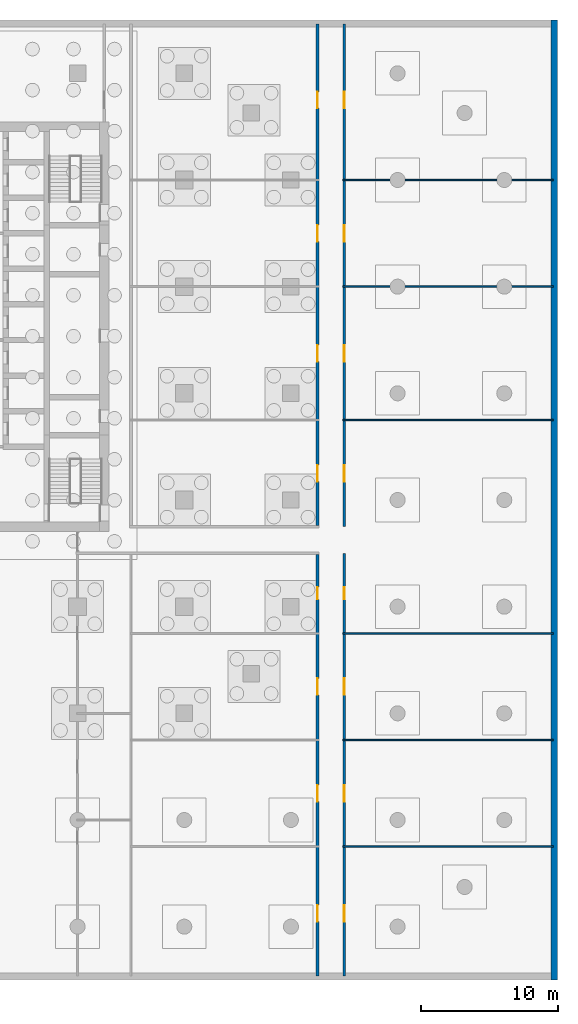
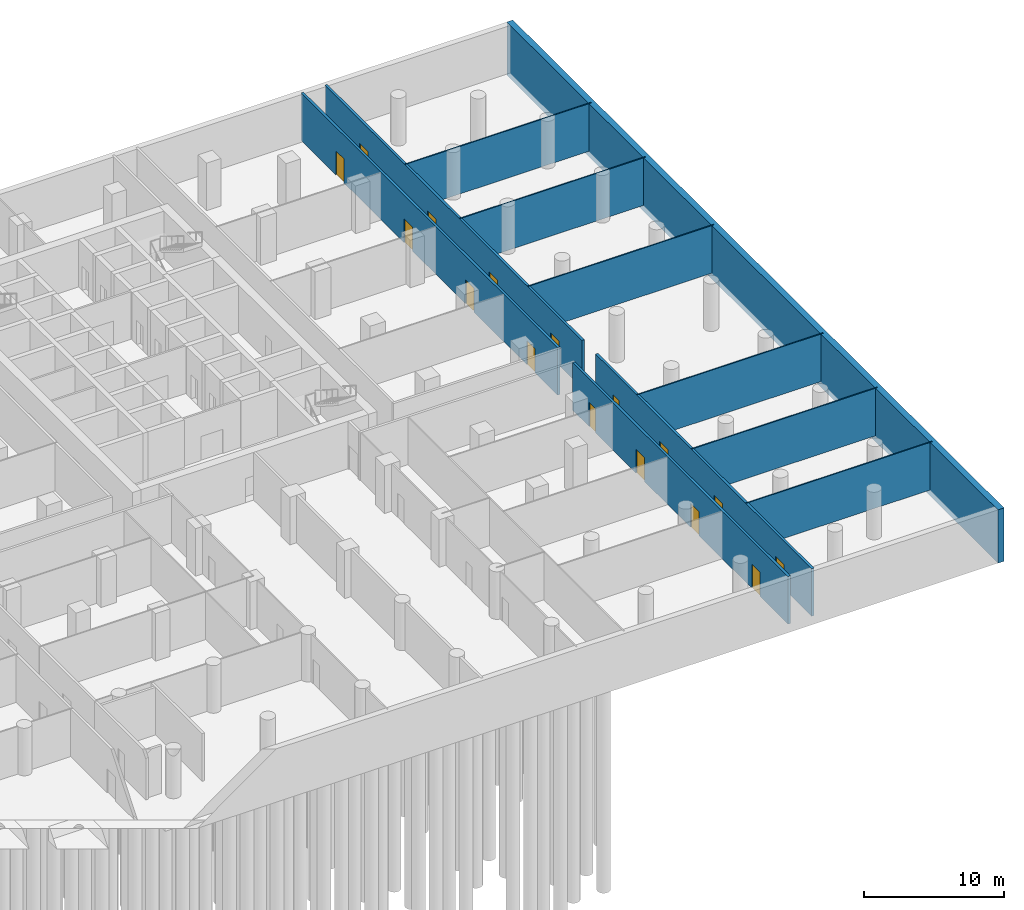
# One storey, part 9 of 16: 16 doors, 11 walls, 16 openings.
"""IFC4 building model written with IfcOpenShell, lengths in metres."""

from ifc_helpers import new_model, si_unit, direction, frame, frame_2d, origin, place, context, subcontext, project, spatial, rectangle, extrude, material, layer, layer_set, type_object, element, fill, save


model = new_model("IFC4")

# Units and contexts
model_context = context("Model", 3, precision=1e-05, world=origin(), true_north=direction((0.0, 1.0)))
body_context = subcontext(model_context, "Body", "Model", "MODEL_VIEW")
ifc_project = project(units=[si_unit("LENGTHUNIT", "METRE"), si_unit("AREAUNIT", "SQUARE_METRE"), si_unit("VOLUMEUNIT", "CUBIC_METRE"), si_unit("PLANEANGLEUNIT", "RADIAN"), si_unit("MASSUNIT", "GRAM", prefix="KILO")], contexts=[model_context])

# Site, building, storey
site_placement = place(None, origin())
site = spatial("IfcSite", under=ifc_project, at=site_placement, CompositionType="ELEMENT")
building_placement = place(site_placement, origin())
building = spatial("IfcBuilding", under=site, at=building_placement, Name="Ludao Terraces", CompositionType="ELEMENT")
storey_placement = place(building_placement, frame((0.0, 0.0, -9.0)))
storey = spatial("IfcBuildingStorey", under=building, at=storey_placement, Name="B2", CompositionType="ELEMENT", Elevation=-9.0)

# Wall
ifc_material_1 = material(Name="Concrete C40", Category="concrete")
ifc_layer_1 = layer(ifc_material_1, 0.5)
ifc_layer_set_1 = layer_set([ifc_layer_1], Name="Basement wall 500 C40")
wall_type_1 = type_object("IfcWallType", Name="Basement wall 500 C40", PredefinedType="SOLIDWALL", material=ifc_layer_set_1)
wall_1_placement = place(storey_placement, frame((127.64990234375, 22.10009765625, -0.5), z_axis=(0.0, 0.0, 1.0), x_axis=(0.0, 1.0, 0.0)))
element("IfcWall", 1, at=wall_1_placement, inside=storey, type_object=wall_type_1, Name="Basement wall E B2", PredefinedType="SOLIDWALL", context=body_context, shape_type="SweptSolid", body=[
    extrude(rectangle(XDim=70.199951171875, YDim=0.5, at=frame_2d((35.10009765625, 0.0))), origin(), (0.0, 0.0, 1.0), 4.64990234375),
])

# Wall, openings, doors
ifc_material_2 = material(Name="Autoclaved aerated concrete block B06 A3.5", Category="concrete")
ifc_layer_2 = layer(ifc_material_2, 0.199951171875)
ifc_layer_set_2 = layer_set([ifc_layer_2], Name="INT Entrance wall 200")
wall_type_2 = type_object("IfcWallType", Name="INT Entrance wall 200", PredefinedType="PARTITIONING", material=ifc_layer_set_2)
wall_2_placement = place(storey_placement, frame((110.35009765625, 22.400146484375, 0.0), z_axis=(0.0, 0.0, 1.0), x_axis=(0.0, 1.0, 0.0)))
wall_2 = element("IfcWall", 2, at=wall_2_placement, inside=storey, type_object=wall_type_2, Name="PW-B2-PW054", PredefinedType="PARTITIONING", context=body_context, shape_type="SweptSolid", body=[
    extrude(rectangle(XDim=30.800048828125, YDim=0.199951171875, at=frame_2d((15.39990234375, 0.0))), origin(), (0.0, 0.0, 1.0), 4.14990234375),
])
opening_1_placement = place(wall_2_placement, frame((3.97509765625, 0.0, 0.0)))
opening_1 = element("IfcOpeningElement", 3, at=opening_1_placement, cuts=wall_2, Name="Opening B2-001", PredefinedType="OPENING", context=body_context, shape_type="SweptSolid", body=[
    extrude(rectangle(XDim=1.199951171875, YDim=2.10009765625, at=frame_2d((0.60009765625, 1.050048828125))), frame((0.0, 0.10986328125, 0.0), z_axis=(0.0, -1.0, 0.0), x_axis=(1.0, 0.0, 0.0)), (0.0, 0.0, 1.0), 0.219970703125),
])
opening_2_placement = place(wall_2_placement, frame((12.75, 0.0, 0.0)))
opening_2 = element("IfcOpeningElement", 4, at=opening_2_placement, cuts=wall_2, Name="Opening B2-007", PredefinedType="OPENING", context=body_context, shape_type="SweptSolid", body=[
    extrude(rectangle(XDim=1.199951171875, YDim=2.10009765625, at=frame_2d((0.60009765625, 1.050048828125))), frame((0.0, 0.10986328125, 0.0), z_axis=(0.0, -1.0, 0.0), x_axis=(1.0, 0.0, 0.0)), (0.0, 0.0, 1.0), 0.219970703125),
])
opening_3_placement = place(wall_2_placement, frame((20.550048828125, 0.0, 0.0)))
opening_3 = element("IfcOpeningElement", 5, at=opening_3_placement, cuts=wall_2, Name="Opening B2-013", PredefinedType="OPENING", context=body_context, shape_type="SweptSolid", body=[
    extrude(rectangle(XDim=1.199951171875, YDim=2.10009765625, at=frame_2d((0.60009765625, 1.050048828125))), frame((0.0, 0.10986328125, 0.0), z_axis=(0.0, -1.0, 0.0), x_axis=(1.0, 0.0, 0.0)), (0.0, 0.0, 1.0), 0.219970703125),
])
opening_4_placement = place(wall_2_placement, frame((27.52490234375, 0.0, 0.0)))
opening_4 = element("IfcOpeningElement", 6, at=opening_4_placement, cuts=wall_2, Name="Opening B2-019", PredefinedType="OPENING", context=body_context, shape_type="SweptSolid", body=[
    extrude(rectangle(XDim=0.89990234375, YDim=2.10009765625, at=frame_2d((0.449951171875, 1.050048828125))), frame((0.0, 0.10986328125, 0.0), z_axis=(0.0, -1.0, 0.0), x_axis=(1.0, 0.0, 0.0)), (0.0, 0.0, 1.0), 0.219970703125),
])
ifc_material_3 = material(Name="Timber door leaf", Category="wood")
door_type_1 = type_object("IfcDoorType", Name="INT Double door 1200", OperationType="DOUBLE_DOOR_SINGLE_SWING", PredefinedType="DOOR", material=ifc_material_3)
door_1_placement = place(opening_1_placement, origin())
door_1 = element("IfcDoor", 7, at=door_1_placement, inside=storey, type_object=door_type_1, Name="DOOR 001", OperationType="DOUBLE_DOOR_SINGLE_SWING", OverallHeight=2.10009765625, OverallWidth=1.199951171875, PredefinedType="DOOR", context=body_context, shape_type="SweptSolid", body=[
    extrude(rectangle(XDim=1.199951171875, YDim=2.10009765625, at=frame_2d((0.60009765625, 1.050048828125))), frame((0.0, 0.02490234375, 0.0), z_axis=(0.0, -1.0, 0.0), x_axis=(1.0, 0.0, 0.0)), (0.0, 0.0, 1.0), 0.050048828125),
])
fill(opening_1, door_1)
door_2_placement = place(opening_2_placement, origin())
door_2 = element("IfcDoor", 8, at=door_2_placement, inside=storey, type_object=door_type_1, Name="DOOR 007", OperationType="DOUBLE_DOOR_SINGLE_SWING", OverallHeight=2.10009765625, OverallWidth=1.199951171875, PredefinedType="DOOR", context=body_context, shape_type="SweptSolid", body=[
    extrude(rectangle(XDim=1.199951171875, YDim=2.10009765625, at=frame_2d((0.60009765625, 1.050048828125))), frame((0.0, 0.02490234375, 0.0), z_axis=(0.0, -1.0, 0.0), x_axis=(1.0, 0.0, 0.0)), (0.0, 0.0, 1.0), 0.050048828125),
])
fill(opening_2, door_2)
door_3_placement = place(opening_3_placement, origin())
door_3 = element("IfcDoor", 9, at=door_3_placement, inside=storey, type_object=door_type_1, Name="DOOR 013", OperationType="DOUBLE_DOOR_SINGLE_SWING", OverallHeight=2.10009765625, OverallWidth=1.199951171875, PredefinedType="DOOR", context=body_context, shape_type="SweptSolid", body=[
    extrude(rectangle(XDim=1.199951171875, YDim=2.10009765625, at=frame_2d((0.60009765625, 1.050048828125))), frame((0.0, 0.02490234375, 0.0), z_axis=(0.0, -1.0, 0.0), x_axis=(1.0, 0.0, 0.0)), (0.0, 0.0, 1.0), 0.050048828125),
])
fill(opening_3, door_3)
door_type_2 = type_object("IfcDoorType", Name="INT Room door 900", OperationType="SINGLE_SWING_LEFT", PredefinedType="DOOR", material=ifc_material_3)
door_4_placement = place(opening_4_placement, origin())
door_4 = element("IfcDoor", 10, at=door_4_placement, inside=storey, type_object=door_type_2, Name="DOOR 019", OperationType="SINGLE_SWING_LEFT", OverallHeight=2.10009765625, OverallWidth=0.89990234375, PredefinedType="DOOR", context=body_context, shape_type="SweptSolid", body=[
    extrude(rectangle(XDim=0.89990234375, YDim=2.10009765625, at=frame_2d((0.449951171875, 1.050048828125))), frame((0.0, 0.02490234375, 0.0), z_axis=(0.0, -1.0, 0.0), x_axis=(1.0, 0.0, 0.0)), (0.0, 0.0, 1.0), 0.050048828125),
])
fill(opening_4, door_4)

wall_3_placement = place(storey_placement, frame((110.35009765625, 55.35009765625, 0.0), z_axis=(0.0, 0.0, 1.0), x_axis=(0.0, 1.0, 0.0)))
wall_3 = element("IfcWall", 11, at=wall_3_placement, inside=storey, type_object=wall_type_2, Name="PW-B2-PW055", PredefinedType="PARTITIONING", context=body_context, shape_type="SweptSolid", body=[
    extrude(rectangle(XDim=36.64990234375, YDim=0.199951171875, at=frame_2d((18.324951171875, 0.0))), origin(), (0.0, 0.0, 1.0), 4.14990234375),
])
opening_5_placement = place(wall_3_placement, frame((3.199951171875, 0.0, 0.0)))
opening_5 = element("IfcOpeningElement", 12, at=opening_5_placement, cuts=wall_3, Name="Opening B2-030", PredefinedType="OPENING", context=body_context, shape_type="SweptSolid", body=[
    extrude(rectangle(XDim=1.199951171875, YDim=2.10009765625, at=frame_2d((0.60009765625, 1.050048828125))), frame((0.0, 0.10986328125, 0.0), z_axis=(0.0, -1.0, 0.0), x_axis=(1.0, 0.0, 0.0)), (0.0, 0.0, 1.0), 0.219970703125),
])
opening_6_placement = place(wall_3_placement, frame((11.97509765625, 0.0, 0.0)))
opening_6 = element("IfcOpeningElement", 13, at=opening_6_placement, cuts=wall_3, Name="Opening B2-044", PredefinedType="OPENING", context=body_context, shape_type="SweptSolid", body=[
    extrude(rectangle(XDim=1.199951171875, YDim=2.10009765625, at=frame_2d((0.60009765625, 1.050048828125))), frame((0.0, 0.10986328125, 0.0), z_axis=(0.0, -1.0, 0.0), x_axis=(1.0, 0.0, 0.0)), (0.0, 0.0, 1.0), 0.219970703125),
])
opening_7_placement = place(wall_3_placement, frame((20.75, 0.0, 0.0)))
opening_7 = element("IfcOpeningElement", 14, at=opening_7_placement, cuts=wall_3, Name="Opening B2-061", PredefinedType="OPENING", context=body_context, shape_type="SweptSolid", body=[
    extrude(rectangle(XDim=1.199951171875, YDim=2.10009765625, at=frame_2d((0.60009765625, 1.050048828125))), frame((0.0, 0.10986328125, 0.0), z_axis=(0.0, -1.0, 0.0), x_axis=(1.0, 0.0, 0.0)), (0.0, 0.0, 1.0), 0.219970703125),
])
opening_8_placement = place(wall_3_placement, frame((30.5, 0.0, 0.0)))
opening_8 = element("IfcOpeningElement", 15, at=opening_8_placement, cuts=wall_3, Name="Opening B2-075", PredefinedType="OPENING", context=body_context, shape_type="SweptSolid", body=[
    extrude(rectangle(XDim=1.199951171875, YDim=2.10009765625, at=frame_2d((0.60009765625, 1.050048828125))), frame((0.0, 0.10986328125, 0.0), z_axis=(0.0, -1.0, 0.0), x_axis=(1.0, 0.0, 0.0)), (0.0, 0.0, 1.0), 0.219970703125),
])
door_5_placement = place(opening_5_placement, origin())
door_5 = element("IfcDoor", 16, at=door_5_placement, inside=storey, type_object=door_type_1, Name="DOOR 030", OperationType="DOUBLE_DOOR_SINGLE_SWING", OverallHeight=2.10009765625, OverallWidth=1.199951171875, PredefinedType="DOOR", context=body_context, shape_type="SweptSolid", body=[
    extrude(rectangle(XDim=1.199951171875, YDim=2.10009765625, at=frame_2d((0.60009765625, 1.050048828125))), frame((0.0, 0.02490234375, 0.0), z_axis=(0.0, -1.0, 0.0), x_axis=(1.0, 0.0, 0.0)), (0.0, 0.0, 1.0), 0.050048828125),
])
fill(opening_5, door_5)
door_6_placement = place(opening_6_placement, origin())
door_6 = element("IfcDoor", 17, at=door_6_placement, inside=storey, type_object=door_type_1, Name="DOOR 044", OperationType="DOUBLE_DOOR_SINGLE_SWING", OverallHeight=2.10009765625, OverallWidth=1.199951171875, PredefinedType="DOOR", context=body_context, shape_type="SweptSolid", body=[
    extrude(rectangle(XDim=1.199951171875, YDim=2.10009765625, at=frame_2d((0.60009765625, 1.050048828125))), frame((0.0, 0.02490234375, 0.0), z_axis=(0.0, -1.0, 0.0), x_axis=(1.0, 0.0, 0.0)), (0.0, 0.0, 1.0), 0.050048828125),
])
fill(opening_6, door_6)
door_7_placement = place(opening_7_placement, origin())
door_7 = element("IfcDoor", 18, at=door_7_placement, inside=storey, type_object=door_type_1, Name="DOOR 061", OperationType="DOUBLE_DOOR_SINGLE_SWING", OverallHeight=2.10009765625, OverallWidth=1.199951171875, PredefinedType="DOOR", context=body_context, shape_type="SweptSolid", body=[
    extrude(rectangle(XDim=1.199951171875, YDim=2.10009765625, at=frame_2d((0.60009765625, 1.050048828125))), frame((0.0, 0.02490234375, 0.0), z_axis=(0.0, -1.0, 0.0), x_axis=(1.0, 0.0, 0.0)), (0.0, 0.0, 1.0), 0.050048828125),
])
fill(opening_7, door_7)
door_8_placement = place(opening_8_placement, origin())
door_8 = element("IfcDoor", 19, at=door_8_placement, inside=storey, type_object=door_type_1, Name="DOOR 075", OperationType="DOUBLE_DOOR_SINGLE_SWING", OverallHeight=2.10009765625, OverallWidth=1.199951171875, PredefinedType="DOOR", context=body_context, shape_type="SweptSolid", body=[
    extrude(rectangle(XDim=1.199951171875, YDim=2.10009765625, at=frame_2d((0.60009765625, 1.050048828125))), frame((0.0, 0.02490234375, 0.0), z_axis=(0.0, -1.0, 0.0), x_axis=(1.0, 0.0, 0.0)), (0.0, 0.0, 1.0), 0.050048828125),
])
fill(opening_8, door_8)

wall_4_placement = place(storey_placement, frame((112.300048828125, 22.400146484375, 0.0), z_axis=(0.0, 0.0, 1.0), x_axis=(0.0, 1.0, 0.0)))
wall_4 = element("IfcWall", 20, at=wall_4_placement, inside=storey, type_object=wall_type_2, Name="PW-B2-PW056", PredefinedType="PARTITIONING", context=body_context, shape_type="SweptSolid", body=[
    extrude(rectangle(XDim=30.89990234375, YDim=0.199951171875, at=frame_2d((15.449951171875, 0.0))), origin(), (0.0, 0.0, 1.0), 4.14990234375),
])
opening_9_placement = place(wall_4_placement, frame((3.97509765625, 0.0, 0.0)))
opening_9 = element("IfcOpeningElement", 21, at=opening_9_placement, cuts=wall_4, Name="Opening B2-002", PredefinedType="OPENING", context=body_context, shape_type="SweptSolid", body=[
    extrude(rectangle(XDim=1.199951171875, YDim=2.10009765625, at=frame_2d((0.60009765625, 1.050048828125))), frame((0.0, 0.10986328125, 0.0), z_axis=(0.0, -1.0, 0.0), x_axis=(1.0, 0.0, 0.0)), (0.0, 0.0, 1.0), 0.219970703125),
])
opening_10_placement = place(wall_4_placement, frame((12.75, 0.0, 0.0)))
opening_10 = element("IfcOpeningElement", 22, at=opening_10_placement, cuts=wall_4, Name="Opening B2-008", PredefinedType="OPENING", context=body_context, shape_type="SweptSolid", body=[
    extrude(rectangle(XDim=1.199951171875, YDim=2.10009765625, at=frame_2d((0.60009765625, 1.050048828125))), frame((0.0, 0.10986328125, 0.0), z_axis=(0.0, -1.0, 0.0), x_axis=(1.0, 0.0, 0.0)), (0.0, 0.0, 1.0), 0.219970703125),
])
opening_11_placement = place(wall_4_placement, frame((20.550048828125, 0.0, 0.0)))
opening_11 = element("IfcOpeningElement", 23, at=opening_11_placement, cuts=wall_4, Name="Opening B2-014", PredefinedType="OPENING", context=body_context, shape_type="SweptSolid", body=[
    extrude(rectangle(XDim=1.199951171875, YDim=2.10009765625, at=frame_2d((0.60009765625, 1.050048828125))), frame((0.0, 0.10986328125, 0.0), z_axis=(0.0, -1.0, 0.0), x_axis=(1.0, 0.0, 0.0)), (0.0, 0.0, 1.0), 0.219970703125),
])
opening_12_placement = place(wall_4_placement, frame((27.52490234375, 0.0, 0.0)))
opening_12 = element("IfcOpeningElement", 24, at=opening_12_placement, cuts=wall_4, Name="Opening B2-020", PredefinedType="OPENING", context=body_context, shape_type="SweptSolid", body=[
    extrude(rectangle(XDim=0.89990234375, YDim=2.10009765625, at=frame_2d((0.449951171875, 1.050048828125))), frame((0.0, 0.10986328125, 0.0), z_axis=(0.0, -1.0, 0.0), x_axis=(1.0, 0.0, 0.0)), (0.0, 0.0, 1.0), 0.219970703125),
])
door_9_placement = place(opening_9_placement, origin())
door_9 = element("IfcDoor", 25, at=door_9_placement, inside=storey, type_object=door_type_1, Name="DOOR 002", OperationType="DOUBLE_DOOR_SINGLE_SWING", OverallHeight=2.10009765625, OverallWidth=1.199951171875, PredefinedType="DOOR", context=body_context, shape_type="SweptSolid", body=[
    extrude(rectangle(XDim=1.199951171875, YDim=2.10009765625, at=frame_2d((0.60009765625, 1.050048828125))), frame((0.0, 0.02490234375, 0.0), z_axis=(0.0, -1.0, 0.0), x_axis=(1.0, 0.0, 0.0)), (0.0, 0.0, 1.0), 0.050048828125),
])
fill(opening_9, door_9)
door_10_placement = place(opening_10_placement, origin())
door_10 = element("IfcDoor", 26, at=door_10_placement, inside=storey, type_object=door_type_1, Name="DOOR 008", OperationType="DOUBLE_DOOR_SINGLE_SWING", OverallHeight=2.10009765625, OverallWidth=1.199951171875, PredefinedType="DOOR", context=body_context, shape_type="SweptSolid", body=[
    extrude(rectangle(XDim=1.199951171875, YDim=2.10009765625, at=frame_2d((0.60009765625, 1.050048828125))), frame((0.0, 0.02490234375, 0.0), z_axis=(0.0, -1.0, 0.0), x_axis=(1.0, 0.0, 0.0)), (0.0, 0.0, 1.0), 0.050048828125),
])
fill(opening_10, door_10)
door_11_placement = place(opening_11_placement, origin())
door_11 = element("IfcDoor", 27, at=door_11_placement, inside=storey, type_object=door_type_1, Name="DOOR 014", OperationType="DOUBLE_DOOR_SINGLE_SWING", OverallHeight=2.10009765625, OverallWidth=1.199951171875, PredefinedType="DOOR", context=body_context, shape_type="SweptSolid", body=[
    extrude(rectangle(XDim=1.199951171875, YDim=2.10009765625, at=frame_2d((0.60009765625, 1.050048828125))), frame((0.0, 0.02490234375, 0.0), z_axis=(0.0, -1.0, 0.0), x_axis=(1.0, 0.0, 0.0)), (0.0, 0.0, 1.0), 0.050048828125),
])
fill(opening_11, door_11)
door_12_placement = place(opening_12_placement, origin())
door_12 = element("IfcDoor", 28, at=door_12_placement, inside=storey, type_object=door_type_2, Name="DOOR 020", OperationType="SINGLE_SWING_RIGHT", OverallHeight=2.10009765625, OverallWidth=0.89990234375, PredefinedType="DOOR", context=body_context, shape_type="SweptSolid", body=[
    extrude(rectangle(XDim=0.89990234375, YDim=2.10009765625, at=frame_2d((0.449951171875, 1.050048828125))), frame((0.0, 0.02490234375, 0.0), z_axis=(0.0, -1.0, 0.0), x_axis=(1.0, 0.0, 0.0)), (0.0, 0.0, 1.0), 0.050048828125),
])
fill(opening_12, door_12)

wall_5_placement = place(storey_placement, frame((112.300048828125, 55.25, 0.0), z_axis=(0.0, 0.0, 1.0), x_axis=(0.0, 1.0, 0.0)))
wall_5 = element("IfcWall", 29, at=wall_5_placement, inside=storey, type_object=wall_type_2, Name="PW-B2-PW057", PredefinedType="PARTITIONING", context=body_context, shape_type="SweptSolid", body=[
    extrude(rectangle(XDim=36.75, YDim=0.199951171875, at=frame_2d((18.375, 0.0))), origin(), (0.0, 0.0, 1.0), 4.14990234375),
])
opening_13_placement = place(wall_5_placement, frame((3.300048828125, 0.0, 0.0)))
opening_13 = element("IfcOpeningElement", 30, at=opening_13_placement, cuts=wall_5, Name="Opening B2-031", PredefinedType="OPENING", context=body_context, shape_type="SweptSolid", body=[
    extrude(rectangle(XDim=1.199951171875, YDim=2.10009765625, at=frame_2d((0.60009765625, 1.050048828125))), frame((0.0, 0.10986328125, 0.0), z_axis=(0.0, -1.0, 0.0), x_axis=(1.0, 0.0, 0.0)), (0.0, 0.0, 1.0), 0.219970703125),
])
opening_14_placement = place(wall_5_placement, frame((12.0751953125, 0.0, 0.0)))
opening_14 = element("IfcOpeningElement", 31, at=opening_14_placement, cuts=wall_5, Name="Opening B2-045", PredefinedType="OPENING", context=body_context, shape_type="SweptSolid", body=[
    extrude(rectangle(XDim=1.199951171875, YDim=2.10009765625, at=frame_2d((0.60009765625, 1.050048828125))), frame((0.0, 0.10986328125, 0.0), z_axis=(0.0, -1.0, 0.0), x_axis=(1.0, 0.0, 0.0)), (0.0, 0.0, 1.0), 0.219970703125),
])
opening_15_placement = place(wall_5_placement, frame((20.85009765625, 0.0, 0.0)))
opening_15 = element("IfcOpeningElement", 32, at=opening_15_placement, cuts=wall_5, Name="Opening B2-062", PredefinedType="OPENING", context=body_context, shape_type="SweptSolid", body=[
    extrude(rectangle(XDim=1.199951171875, YDim=2.10009765625, at=frame_2d((0.60009765625, 1.050048828125))), frame((0.0, 0.10986328125, 0.0), z_axis=(0.0, -1.0, 0.0), x_axis=(1.0, 0.0, 0.0)), (0.0, 0.0, 1.0), 0.219970703125),
])
opening_16_placement = place(wall_5_placement, frame((30.60009765625, 0.0, 0.0)))
opening_16 = element("IfcOpeningElement", 33, at=opening_16_placement, cuts=wall_5, Name="Opening B2-076", PredefinedType="OPENING", context=body_context, shape_type="SweptSolid", body=[
    extrude(rectangle(XDim=1.199951171875, YDim=2.10009765625, at=frame_2d((0.60009765625, 1.050048828125))), frame((0.0, 0.10986328125, 0.0), z_axis=(0.0, -1.0, 0.0), x_axis=(1.0, 0.0, 0.0)), (0.0, 0.0, 1.0), 0.219970703125),
])
door_13_placement = place(opening_13_placement, origin())
door_13 = element("IfcDoor", 34, at=door_13_placement, inside=storey, type_object=door_type_1, Name="DOOR 031", OperationType="DOUBLE_DOOR_SINGLE_SWING", OverallHeight=2.10009765625, OverallWidth=1.199951171875, PredefinedType="DOOR", context=body_context, shape_type="SweptSolid", body=[
    extrude(rectangle(XDim=1.199951171875, YDim=2.10009765625, at=frame_2d((0.60009765625, 1.050048828125))), frame((0.0, 0.02490234375, 0.0), z_axis=(0.0, -1.0, 0.0), x_axis=(1.0, 0.0, 0.0)), (0.0, 0.0, 1.0), 0.050048828125),
])
fill(opening_13, door_13)
door_14_placement = place(opening_14_placement, origin())
door_14 = element("IfcDoor", 35, at=door_14_placement, inside=storey, type_object=door_type_1, Name="DOOR 045", OperationType="DOUBLE_DOOR_SINGLE_SWING", OverallHeight=2.10009765625, OverallWidth=1.199951171875, PredefinedType="DOOR", context=body_context, shape_type="SweptSolid", body=[
    extrude(rectangle(XDim=1.199951171875, YDim=2.10009765625, at=frame_2d((0.60009765625, 1.050048828125))), frame((0.0, 0.02490234375, 0.0), z_axis=(0.0, -1.0, 0.0), x_axis=(1.0, 0.0, 0.0)), (0.0, 0.0, 1.0), 0.050048828125),
])
fill(opening_14, door_14)
door_15_placement = place(opening_15_placement, origin())
door_15 = element("IfcDoor", 36, at=door_15_placement, inside=storey, type_object=door_type_1, Name="DOOR 062", OperationType="DOUBLE_DOOR_SINGLE_SWING", OverallHeight=2.10009765625, OverallWidth=1.199951171875, PredefinedType="DOOR", context=body_context, shape_type="SweptSolid", body=[
    extrude(rectangle(XDim=1.199951171875, YDim=2.10009765625, at=frame_2d((0.60009765625, 1.050048828125))), frame((0.0, 0.02490234375, 0.0), z_axis=(0.0, -1.0, 0.0), x_axis=(1.0, 0.0, 0.0)), (0.0, 0.0, 1.0), 0.050048828125),
])
fill(opening_15, door_15)
door_16_placement = place(opening_16_placement, origin())
door_16 = element("IfcDoor", 37, at=door_16_placement, inside=storey, type_object=door_type_1, Name="DOOR 076", OperationType="DOUBLE_DOOR_SINGLE_SWING", OverallHeight=2.10009765625, OverallWidth=1.199951171875, PredefinedType="DOOR", context=body_context, shape_type="SweptSolid", body=[
    extrude(rectangle(XDim=1.199951171875, YDim=2.10009765625, at=frame_2d((0.60009765625, 1.050048828125))), frame((0.0, 0.02490234375, 0.0), z_axis=(0.0, -1.0, 0.0), x_axis=(1.0, 0.0, 0.0)), (0.0, 0.0, 1.0), 0.050048828125),
])
fill(opening_16, door_16)

# Walls
ifc_material_4 = material(Name="Gypsum plasterboard", Category="gypsum")
ifc_layer_3 = layer(ifc_material_4, 0.012451171875, Category="gypsum")
ifc_material_5 = material(Name="Mineral wool")
ifc_layer_4 = layer(ifc_material_5, 0.06005859375, Name="insulation")
ifc_material_6 = material(Name="Steel Q235", Category="steel")
ifc_layer_5 = layer(ifc_material_6, 0.014892578125, Name="stud")
ifc_layer_6 = layer(ifc_material_4, 0.012451171875, Category="gypsum")
ifc_layer_set_3 = layer_set([ifc_layer_3, ifc_layer_4, ifc_layer_5, ifc_layer_6], Name="INT Partition 100")
wall_type_3 = type_object("IfcWallType", Name="INT Partition 100", PredefinedType="PARTITIONING", material=ifc_layer_set_3)
for number, where, z_axis, x_axis, name in (
    (38, (112.2001953125, 31.85009765625, 0.0), (0.0, 0.0, 1.0), (1.0, 0.0, 0.0), "PW-B2-PW001"),
    (39, (112.2001953125, 39.64990234375, 0.0), (0.0, 0.0, 1.0), (1.0, 0.0, 0.0), "PW-B2-PW006"),
    (40, (112.2001953125, 47.449951171875, 0.0), (0.0, 0.0, 1.0), (1.0, 0.0, 0.0), "PW-B2-PW012"),
    (41, (112.2001953125, 63.050048828125, 0.0), (0.0, 0.0, 1.0), (1.0, 0.0, 0.0), "PW-B2-PW023"),
    (42, (112.2001953125, 72.800048828125, 0.0), (0.0, 0.0, 1.0), (1.0, 0.0, 0.0), "PW-B2-PW030"),
    (43, (112.2001953125, 80.60009765625, 0.0), (0.0, 0.0, 1.0), (1.0, 0.0, 0.0), "PW-B2-PW035"),
):
    element("IfcWall", number, at=place(storey_placement, frame(where, z_axis=z_axis, x_axis=x_axis)), inside=storey, type_object=wall_type_3, Name=name, PredefinedType="PARTITIONING", context=body_context, shape_type="SweptSolid", body=[
        extrude(rectangle(XDim=15.39990234375, YDim=0.10009765625, at=frame_2d((7.699951171875, 0.0))), origin(), (0.0, 0.0, 1.0), 4.14990234375),
    ])

save(model, "model.ifc")
